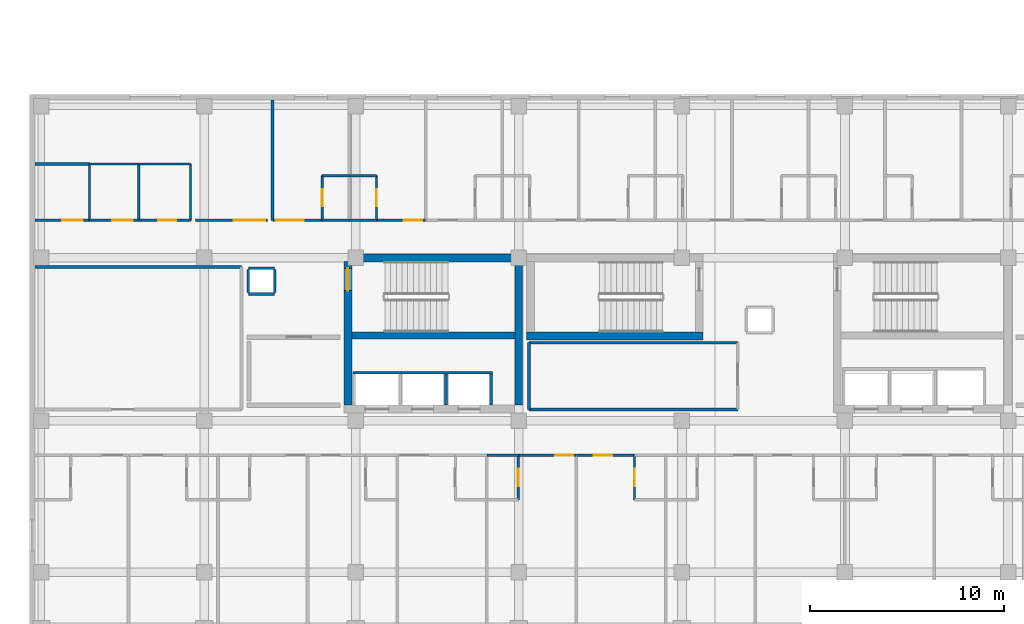
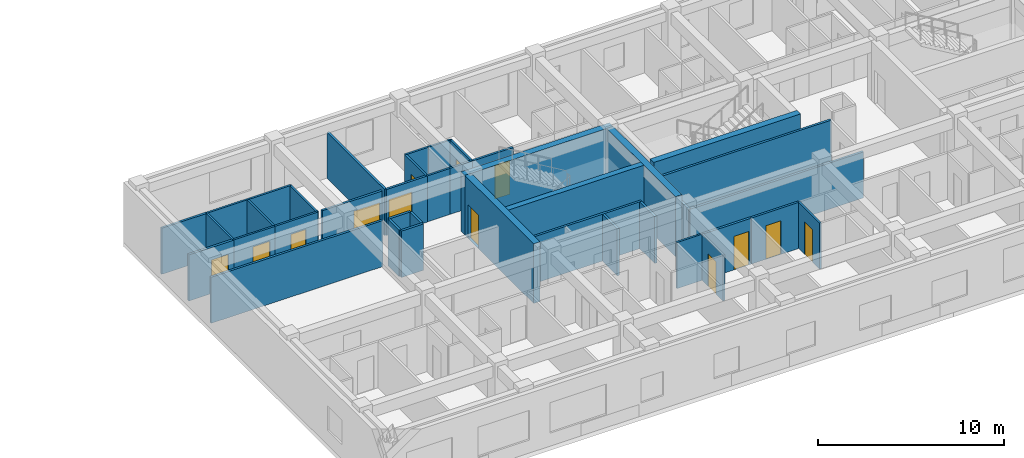
# One storey, part 103 of 123: 40 walls, 13 doors, 13 openings.
"""IFC4 building model written with IfcOpenShell, lengths in metres."""

from ifc_helpers import new_model, si_unit, direction, frame, frame_2d, origin, place, context, subcontext, project, spatial, rectangle, extrude, material, layer, layer_set, type_object, element, fill, save


model = new_model("IFC4")

# Units and contexts
model_context = context("Model", 3, precision=1e-05, world=origin(), true_north=direction((0.0, 1.0)))
body_context = subcontext(model_context, "Body", "Model", "MODEL_VIEW")
ifc_project = project(units=[si_unit("LENGTHUNIT", "METRE"), si_unit("AREAUNIT", "SQUARE_METRE"), si_unit("VOLUMEUNIT", "CUBIC_METRE"), si_unit("PLANEANGLEUNIT", "RADIAN"), si_unit("MASSUNIT", "GRAM", prefix="KILO")], contexts=[model_context])

# Site, building, storey
site_placement = place(None, origin())
site = spatial("IfcSite", under=ifc_project, at=site_placement, CompositionType="ELEMENT")
building_placement = place(site_placement, origin())
building = spatial("IfcBuilding", under=site, at=building_placement, Name="Zayran Congress Hotel", CompositionType="ELEMENT")
storey_placement = place(building_placement, frame((0.0, 0.0, 15.0)))
storey = spatial("IfcBuildingStorey", under=building, at=storey_placement, Name="L03", CompositionType="ELEMENT", Elevation=15.0)

# Wall
ifc_material_1 = material(Name="Concrete C40/50", Category="concrete")
ifc_layer_1 = layer(ifc_material_1, 0.39990234375)
ifc_layer_set_1 = layer_set([ifc_layer_1], Name="Concrete C40/50")
wall_type_1 = type_object("IfcWallType", Name="WL-SH-400", PredefinedType="SHEAR", material=ifc_layer_set_1)
wall_1_placement = place(storey_placement, frame((33.800048828125, 25.5849609375, 0.0), z_axis=(0.0, 0.0, 1.0), x_axis=(-1.0, 0.0, 0.0)))
element("IfcWall", 1, at=wall_1_placement, inside=storey, type_object=wall_type_1, Name="CWALL-C-V5W-L03-N", PredefinedType="SHEAR", context=body_context, shape_type="SweptSolid", body=[
    extrude(rectangle(XDim=9.199951171875, YDim=0.39990234375, at=frame_2d((4.60009765625, 0.0))), origin(), (0.0, 0.0, 1.0), 3.919921875),
])

# Wall, opening, door
wall_2_placement = place(storey_placement, frame((24.800048828125, 25.39990234375, 0.0), z_axis=(0.0, 0.0, 1.0), x_axis=(0.0, -1.0, 0.0)))
wall_2 = element("IfcWall", 2, at=wall_2_placement, inside=storey, type_object=wall_type_1, Name="CWALL-C-V5W-L03-W", PredefinedType="SHEAR", context=body_context, shape_type="SweptSolid", body=[
    extrude(rectangle(XDim=7.39990234375, YDim=0.39990234375, at=frame_2d((3.699951171875, 0.0))), origin(), (0.0, 0.0, 1.0), 3.919921875),
])
opening_1_placement = place(wall_2_placement, frame((0.35009765625, 0.0, 0.0)))
opening_1 = element("IfcOpeningElement", 3, at=opening_1_placement, cuts=wall_2, Name="Opening DR-FD-90", PredefinedType="OPENING", context=body_context, shape_type="SweptSolid", body=[
    extrude(rectangle(XDim=1.14990234375, YDim=2.199951171875, at=frame_2d((0.574951171875, 1.10009765625))), frame((0.0, 0.2099609375, 0.0), z_axis=(0.0, -1.0, 0.0), x_axis=(1.0, 0.0, 0.0)), (0.0, 0.0, 1.0), 0.419921875),
])
ifc_material_2 = material(Name="Painted steel fire door assembly", Category="steel")
door_type_1 = type_object("IfcDoorType", Name="TP-DR-FD-90", OperationType="NOTDEFINED", PredefinedType="DOOR", material=ifc_material_2)
door_1_placement = place(opening_1_placement, origin())
door_1 = element("IfcDoor", 4, at=door_1_placement, inside=storey, type_object=door_type_1, Name="ST-01 Exit Stair Door L03", OperationType="SINGLE_SWING_LEFT", OverallHeight=2.199951171875, OverallWidth=1.14990234375, PredefinedType="DOOR", context=body_context, shape_type="SweptSolid", body=[
    extrude(rectangle(XDim=1.14990234375, YDim=2.199951171875, at=frame_2d((0.574951171875, 1.10009765625))), frame((0.0, 0.02490234375, 0.0), z_axis=(0.0, -1.0, 0.0), x_axis=(1.0, 0.0, 0.0)), (0.0, 0.0, 1.0), 0.050048828125),
])
fill(opening_1, door_1)

# Walls
wall_3_placement = place(storey_placement, frame((33.60009765625, 18.0, 0.0), z_axis=(0.0, 0.0, 1.0), x_axis=(0.0, 1.0, 0.0)))
element("IfcWall", 5, at=wall_3_placement, inside=storey, type_object=wall_type_1, Name="CWALL-C-V5W-L03-E", PredefinedType="SHEAR", context=body_context, shape_type="SweptSolid", body=[
    extrude(rectangle(XDim=7.39990234375, YDim=0.39990234375, at=frame_2d((3.699951171875, 0.0))), origin(), (0.0, 0.0, 1.0), 3.919921875),
])
wall_4_placement = place(storey_placement, frame((34.0, 21.56005859375, 0.0), z_axis=(0.0, 0.0, 1.0), x_axis=(1.0, 0.0, 0.0)))
element("IfcWall", 6, at=wall_4_placement, inside=storey, type_object=wall_type_1, Name="CWALL-C-V5M-L03-S", PredefinedType="SHEAR", context=body_context, shape_type="SweptSolid", body=[
    extrude(rectangle(XDim=9.10009765625, YDim=0.39990234375, at=frame_2d((4.550048828125, 0.0))), origin(), (0.0, 0.0, 1.0), 3.919921875),
])
ifc_layer_2 = layer(ifc_material_1, 0.35009765625)
ifc_layer_set_2 = layer_set([ifc_layer_2], Name="Concrete C40/50")
wall_type_2 = type_object("IfcWallType", Name="WL-SH-350", PredefinedType="SHEAR", material=ifc_layer_set_2)
wall_5_placement = place(storey_placement, frame((25.0, 21.5849609375, 0.0), z_axis=(0.0, 0.0, 1.0), x_axis=(1.0, 0.0, 0.0)))
element("IfcWall", 7, at=wall_5_placement, inside=storey, type_object=wall_type_2, Name="CWALL-C-V5W-L03-SPN", PredefinedType="SHEAR", context=body_context, shape_type="SweptSolid", body=[
    extrude(rectangle(XDim=8.39990234375, YDim=0.35009765625, at=frame_2d((4.199951171875, 0.0))), origin(), (0.0, 0.0, 1.0), 3.919921875),
])
ifc_material_3 = material(Name="Hospitality guestroom acoustic partition", Category="gypsum")
ifc_layer_3 = layer(ifc_material_3, 0.139892578125)
ifc_layer_set_3 = layer_set([ifc_layer_3], Name="Hospitality guestroom acoustic partition")
wall_type_3 = type_object("IfcWallType", Name="WL-PT-140", PredefinedType="PARTITIONING", material=ifc_layer_set_3)
for number, where, z_axis, x_axis, name in (
    (8, (29.85009765625, 18.0, 0.0), (0.0, 0.0, 1.0), (0.0, 1.0, 0.0), "LSHW-C-V5W-L03-DIV2"),
    (9, (32.169921875, 18.0, 0.0), (0.0, 0.0, 1.0), (0.0, 1.0, 0.0), "LSHW-C-V5W-L03-E"),
):
    element("IfcWall", number, at=place(storey_placement, frame(where, z_axis=z_axis, x_axis=x_axis)), inside=storey, type_object=wall_type_3, Name=name, PredefinedType="PARTITIONING", context=body_context, shape_type="SweptSolid", body=[
        extrude(rectangle(XDim=1.60009765625, YDim=0.139892578125, at=frame_2d((0.800048828125, 0.0))), origin(), (0.0, 0.0, 1.0), 3.070068359375),
    ])
wall_6_placement = place(storey_placement, frame((25.06005859375, 19.669921875, 0.0), z_axis=(0.0, 0.0, 1.0), x_axis=(1.0, 0.0, 0.0)))
element("IfcWall", 10, at=wall_6_placement, inside=storey, type_object=wall_type_3, Name="LSHW-C-V5W-L03-N", PredefinedType="PARTITIONING", context=body_context, shape_type="SweptSolid", body=[
    extrude(rectangle(XDim=7.179931640625, YDim=0.139892578125, at=frame_2d((3.58984375, 0.0))), origin(), (0.0, 0.0, 1.0), 3.070068359375),
])

# Wall, opening, door
wall_7_placement = place(storey_placement, frame((33.574951171875, 15.419921875, 0.0), z_axis=(0.0, 0.0, 1.0), x_axis=(1.0, 0.0, 0.0)))
wall_7 = element("IfcWall", 11, at=wall_7_placement, inside=storey, type_object=wall_type_3, Name="IW-L03-0576", PredefinedType="PARTITIONING", context=body_context, shape_type="SweptSolid", body=[
    extrude(rectangle(XDim=2.98193359375, YDim=0.139892578125, at=frame_2d((1.490966796875, 0.0))), origin(), (0.0, 0.0, 1.0), 3.02001953125),
])
opening_2_placement = place(wall_7_placement, frame((1.902099609375, 0.0, 0.0)))
opening_2 = element("IfcOpeningElement", 12, at=opening_2_placement, cuts=wall_7, Name="Opening DR-GR-01", PredefinedType="OPENING", context=body_context, shape_type="SweptSolid", body=[
    extrude(rectangle(XDim=0.93994140625, YDim=2.199951171875, at=frame_2d((0.469970703125, 1.10009765625))), frame((0.0, 0.079833984375, 0.0), z_axis=(0.0, -1.0, 0.0), x_axis=(1.0, 0.0, 0.0)), (0.0, 0.0, 1.0), 0.159912109375),
])
ifc_material_4 = material(Name="Acoustic walnut veneer fire-rated entry door", Category="wood")
door_type_2 = type_object("IfcDoorType", Name="TP-DR-GR-01", OperationType="NOTDEFINED", PredefinedType="DOOR", material=ifc_material_4)
door_2_placement = place(opening_2_placement, origin())
door_2 = element("IfcDoor", 13, at=door_2_placement, inside=storey, type_object=door_type_2, Name="Guest Room L03-06 Door", OperationType="SINGLE_SWING_LEFT", OverallHeight=2.199951171875, OverallWidth=0.93994140625, PredefinedType="DOOR", context=body_context, shape_type="SweptSolid", body=[
    extrude(rectangle(XDim=0.93994140625, YDim=2.199951171875, at=frame_2d((0.469970703125, 1.10009765625))), frame((0.0, 0.02490234375, 0.0), z_axis=(0.0, -1.0, 0.0), x_axis=(1.0, 0.0, 0.0)), (0.0, 0.0, 1.0), 0.050048828125),
])
fill(opening_2, door_2)

wall_8_placement = place(storey_placement, frame((36.576904296875, 15.419921875, 0.0), z_axis=(0.0, 0.0, 1.0), x_axis=(1.0, 0.0, 0.0)))
wall_8 = element("IfcWall", 14, at=wall_8_placement, inside=storey, type_object=wall_type_3, Name="IW-L03-0577", PredefinedType="PARTITIONING", context=body_context, shape_type="SweptSolid", body=[
    extrude(rectangle(XDim=2.982177734375, YDim=0.139892578125, at=frame_2d((1.4912109375, 0.0))), origin(), (0.0, 0.0, 1.0), 3.02001953125),
])
opening_3_placement = place(wall_8_placement, frame((0.89501953125, 0.0, 0.0)))
opening_3 = element("IfcOpeningElement", 15, at=opening_3_placement, cuts=wall_8, Name="Opening DR-GR-01", PredefinedType="OPENING", context=body_context, shape_type="SweptSolid", body=[
    extrude(rectangle(XDim=0.93994140625, YDim=2.199951171875, at=frame_2d((0.469970703125, 1.10009765625))), frame((0.0, 0.079833984375, 0.0), z_axis=(0.0, -1.0, 0.0), x_axis=(1.0, 0.0, 0.0)), (0.0, 0.0, 1.0), 0.159912109375),
])
door_3_placement = place(opening_3_placement, origin())
door_3 = element("IfcDoor", 16, at=door_3_placement, inside=storey, type_object=door_type_2, Name="Guest Room L03-07 Door", OperationType="SINGLE_SWING_RIGHT", OverallHeight=2.199951171875, OverallWidth=0.93994140625, PredefinedType="DOOR", context=body_context, shape_type="SweptSolid", body=[
    extrude(rectangle(XDim=0.93994140625, YDim=2.199951171875, at=frame_2d((0.469970703125, 1.10009765625))), frame((0.0, 0.02490234375, 0.0), z_axis=(0.0, -1.0, 0.0), x_axis=(1.0, 0.0, 0.0)), (0.0, 0.0, 1.0), 0.050048828125),
])
fill(opening_3, door_3)

wall_9_placement = place(storey_placement, frame((8.679931640625, 27.530029296875, 0.0), z_axis=(0.0, 0.0, 1.0), x_axis=(1.0, 0.0, 0.0)))
wall_9 = element("IfcWall", 17, at=wall_9_placement, inside=storey, type_object=wall_type_3, Name="IW-L03-0589", PredefinedType="PARTITIONING", context=body_context, shape_type="SweptSolid", body=[
    extrude(rectangle(XDim=2.800048828125, YDim=0.139892578125, at=frame_2d((1.39990234375, 0.0))), origin(), (0.0, 0.0, 1.0), 3.02001953125),
])
opening_4_placement = place(wall_9_placement, frame((1.409912109375, 0.0, 0.0)))
opening_4 = element("IfcOpeningElement", 18, at=opening_4_placement, cuts=wall_9, Name="Opening DR-PL-02", PredefinedType="OPENING", context=body_context, shape_type="SweptSolid", body=[
    extrude(rectangle(XDim=1.06005859375, YDim=2.199951171875, at=frame_2d((0.530029296875, 1.10009765625))), frame((0.0, 0.079833984375, 0.0), z_axis=(0.0, -1.0, 0.0), x_axis=(1.0, 0.0, 0.0)), (0.0, 0.0, 1.0), 0.159912109375),
])
ifc_material_5 = material(Name="Painted steel store room fire door", Category="steel")
door_type_3 = type_object("IfcDoorType", Name="TP-DR-PL-02", OperationType="NOTDEFINED", PredefinedType="DOOR", material=ifc_material_5)
door_4_placement = place(opening_4_placement, origin())
door_4 = element("IfcDoor", 19, at=door_4_placement, inside=storey, type_object=door_type_3, Name="Housekeeping and Linen Store L03 Door", OperationType="SINGLE_SWING_RIGHT", OverallHeight=2.199951171875, OverallWidth=1.06005859375, PredefinedType="DOOR", context=body_context, shape_type="SweptSolid", body=[
    extrude(rectangle(XDim=1.06005859375, YDim=2.199951171875, at=frame_2d((0.530029296875, 1.10009765625))), frame((0.0, 0.02490234375, 0.0), z_axis=(0.0, -1.0, 0.0), x_axis=(1.0, 0.0, 0.0)), (0.0, 0.0, 1.0), 0.050048828125),
])
fill(opening_4, door_4)

wall_10_placement = place(storey_placement, frame((16.9599609375, 27.530029296875, 0.0), z_axis=(0.0, 0.0, 1.0), x_axis=(1.0, 0.0, 0.0)))
wall_10 = element("IfcWall", 20, at=wall_10_placement, inside=storey, type_object=wall_type_3, Name="IW-L03-0590", PredefinedType="PARTITIONING", context=body_context, shape_type="SweptSolid", body=[
    extrude(rectangle(XDim=3.7099609375, YDim=0.139892578125, at=frame_2d((1.85498046875, 0.0))), origin(), (0.0, 0.0, 1.0), 3.02001953125),
])
opening_5_placement = place(wall_10_placement, frame((1.969970703125, 0.0, 0.0)))
opening_5 = element("IfcOpeningElement", 21, at=opening_5_placement, cuts=wall_10, Name="Opening DR-MT-02", PredefinedType="OPENING", context=body_context, shape_type="SweptSolid", body=[
    extrude(rectangle(XDim=1.60009765625, YDim=2.300048828125, at=frame_2d((0.800048828125, 1.14990234375))), frame((0.0, 0.079833984375, 0.0), z_axis=(0.0, -1.0, 0.0), x_axis=(1.0, 0.0, 0.0)), (0.0, 0.0, 1.0), 0.159912109375),
])
ifc_material_6 = material(Name="Double acoustic timber boardroom door", Category="wood")
door_type_4 = type_object("IfcDoorType", Name="TP-DR-MT-02", OperationType="DOUBLE_DOOR_SINGLE_SWING", PredefinedType="DOOR", material=ifc_material_6)
door_5_placement = place(opening_5_placement, origin())
door_5 = element("IfcDoor", 22, at=door_5_placement, inside=storey, type_object=door_type_4, Name="Executive Boardroom Salon L03 Door", OperationType="DOUBLE_DOOR_SINGLE_SWING", OverallHeight=2.300048828125, OverallWidth=1.60009765625, PredefinedType="DOOR", context=body_context, shape_type="SweptSolid", body=[
    extrude(rectangle(XDim=1.60009765625, YDim=2.300048828125, at=frame_2d((0.800048828125, 1.14990234375))), frame((0.0, 0.02490234375, 0.0), z_axis=(0.0, -1.0, 0.0), x_axis=(1.0, 0.0, 0.0)), (0.0, 0.0, 1.0), 0.050048828125),
])
fill(opening_5, door_5)

wall_11_placement = place(storey_placement, frame((20.93994140625, 27.530029296875, 0.0), z_axis=(0.0, 0.0, 1.0), x_axis=(1.0, 0.0, 0.0)))
wall_11 = element("IfcWall", 23, at=wall_11_placement, inside=storey, type_object=wall_type_3, Name="IW-L03-0591", PredefinedType="PARTITIONING", context=body_context, shape_type="SweptSolid", body=[
    extrude(rectangle(XDim=2.53515625, YDim=0.139892578125, at=frame_2d((1.267578125, 0.0))), origin(), (0.0, 0.0, 1.0), 3.02001953125),
])
opening_6_placement = place(wall_11_placement, frame((0.139892578125, 0.0, 0.0)))
opening_6 = element("IfcOpeningElement", 24, at=opening_6_placement, cuts=wall_11, Name="Opening DR-ST-01", PredefinedType="OPENING", context=body_context, shape_type="SweptSolid", body=[
    extrude(rectangle(XDim=1.449951171875, YDim=2.300048828125, at=frame_2d((0.72509765625, 1.14990234375))), frame((0.0, 0.079833984375, 0.0), z_axis=(0.0, -1.0, 0.0), x_axis=(1.0, 0.0, 0.0)), (0.0, 0.0, 1.0), 0.159912109375),
])
ifc_material_7 = material(Name="Double walnut veneer suite entry door", Category="wood")
door_type_5 = type_object("IfcDoorType", Name="TP-DR-ST-01", OperationType="DOUBLE_DOOR_SINGLE_SWING", PredefinedType="DOOR", material=ifc_material_7)
door_6_placement = place(opening_6_placement, origin())
door_6 = element("IfcDoor", 25, at=door_6_placement, inside=storey, type_object=door_type_5, Name="Executive Suite L03-19 Door", OperationType="DOUBLE_DOOR_SINGLE_SWING", OverallHeight=2.300048828125, OverallWidth=1.449951171875, PredefinedType="DOOR", context=body_context, shape_type="SweptSolid", body=[
    extrude(rectangle(XDim=1.449951171875, YDim=2.300048828125, at=frame_2d((0.72509765625, 1.14990234375))), frame((0.0, 0.02490234375, 0.0), z_axis=(0.0, -1.0, 0.0), x_axis=(1.0, 0.0, 0.0)), (0.0, 0.0, 1.0), 0.050048828125),
])
fill(opening_6, door_6)

wall_12_placement = place(storey_placement, frame((26.27099609375, 27.530029296875, 0.0), z_axis=(0.0, 0.0, 1.0), x_axis=(1.0, 0.0, 0.0)))
wall_12 = element("IfcWall", 26, at=wall_12_placement, inside=storey, type_object=wall_type_3, Name="IW-L03-0592", PredefinedType="PARTITIONING", context=body_context, shape_type="SweptSolid", body=[
    extrude(rectangle(XDim=2.534912109375, YDim=0.139892578125, at=frame_2d((1.267578125, 0.0))), origin(), (0.0, 0.0, 1.0), 3.02001953125),
])
opening_7_placement = place(wall_12_placement, frame((1.407958984375, 0.0, 0.0)))
opening_7 = element("IfcOpeningElement", 27, at=opening_7_placement, cuts=wall_12, Name="Opening DR-GR-01", PredefinedType="OPENING", context=body_context, shape_type="SweptSolid", body=[
    extrude(rectangle(XDim=0.93994140625, YDim=2.199951171875, at=frame_2d((0.469970703125, 1.10009765625))), frame((0.0, 0.079833984375, 0.0), z_axis=(0.0, -1.0, 0.0), x_axis=(1.0, 0.0, 0.0)), (0.0, 0.0, 1.0), 0.159912109375),
])
door_7_placement = place(opening_7_placement, origin())
door_7 = element("IfcDoor", 28, at=door_7_placement, inside=storey, type_object=door_type_2, Name="Guest Room L03-20 Door", OperationType="SINGLE_SWING_LEFT", OverallHeight=2.199951171875, OverallWidth=0.93994140625, PredefinedType="DOOR", context=body_context, shape_type="SweptSolid", body=[
    extrude(rectangle(XDim=0.93994140625, YDim=2.199951171875, at=frame_2d((0.469970703125, 1.10009765625))), frame((0.0, 0.02490234375, 0.0), z_axis=(0.0, -1.0, 0.0), x_axis=(1.0, 0.0, 0.0)), (0.0, 0.0, 1.0), 0.050048828125),
])
fill(opening_7, door_7)

# Walls
for number, where, z_axis, x_axis, name in (
    (29, (34.1201171875, 17.780029296875, 0.0), (0.0, 0.0, 1.0), (1.0, 0.0, 0.0), "IW-L03-1886"),
    (30, (34.1201171875, 21.219970703125, 0.0), (0.0, 0.0, 1.0), (1.0, 0.0, 0.0), "IW-L03-1887"),
):
    element("IfcWall", number, at=place(storey_placement, frame(where, z_axis=z_axis, x_axis=x_axis)), inside=storey, type_object=wall_type_3, Name=name, PredefinedType="PARTITIONING", context=body_context, shape_type="SweptSolid", body=[
        extrude(rectangle(XDim=10.759765625, YDim=0.139892578125, at=frame_2d((5.3798828125, 0.0))), origin(), (0.0, 0.0, 1.0), 3.02001953125),
    ])
wall_13_placement = place(storey_placement, frame((34.1298828125, 17.77001953125, 0.0), z_axis=(0.0, 0.0, 1.0), x_axis=(0.0, 1.0, 0.0)))
element("IfcWall", 31, at=wall_13_placement, inside=storey, type_object=wall_type_3, Name="IW-L03-1888", PredefinedType="PARTITIONING", context=body_context, shape_type="SweptSolid", body=[
    extrude(rectangle(XDim=3.4599609375, YDim=0.139892578125, at=frame_2d((1.72998046875, 0.0))), origin(), (0.0, 0.0, 1.0), 3.02001953125),
])
wall_14_placement = place(storey_placement, frame((8.679931640625, 25.1201171875, 0.0), z_axis=(0.0, 0.0, 1.0), x_axis=(1.0, 0.0, 0.0)))
element("IfcWall", 32, at=wall_14_placement, inside=storey, type_object=wall_type_3, Name="IW-L03-1889", PredefinedType="PARTITIONING", context=body_context, shape_type="SweptSolid", body=[
    extrude(rectangle(XDim=10.650146484375, YDim=0.139892578125, at=frame_2d((5.3251953125, 0.0))), origin(), (0.0, 0.0, 1.0), 3.02001953125),
])
wall_15_placement = place(storey_placement, frame((8.679931640625, 30.419921875, 0.0), z_axis=(0.0, 0.0, 1.0), x_axis=(1.0, 0.0, 0.0)))
element("IfcWall", 33, at=wall_15_placement, inside=storey, type_object=wall_type_3, Name="IW-L03-1910", PredefinedType="PARTITIONING", context=body_context, shape_type="SweptSolid", body=[
    extrude(rectangle(XDim=2.800048828125, YDim=0.139892578125, at=frame_2d((1.39990234375, 0.0))), origin(), (0.0, 0.0, 1.0), 3.02001953125),
])
wall_16_placement = place(storey_placement, frame((20.919921875, 27.52001953125, 0.0), z_axis=(0.0, 0.0, 1.0), x_axis=(0.0, 1.0, 0.0)))
element("IfcWall", 34, at=wall_16_placement, inside=storey, type_object=wall_type_3, Name="IW-L03-1911", PredefinedType="PARTITIONING", context=body_context, shape_type="SweptSolid", body=[
    extrude(rectangle(XDim=6.199951171875, YDim=0.139892578125, at=frame_2d((3.10009765625, 0.0))), origin(), (0.0, 0.0, 1.0), 3.02001953125),
])
for number, where, z_axis, x_axis, name in (
    (35, (19.669921875, 23.72998046875, 0.0), (0.0, 0.0, 1.0), (1.0, 0.0, 0.0), "RSWL-V5-L03-032-S"),
    (36, (21.030029296875, 25.050048828125, 0.0), (0.0, 0.0, 1.0), (-1.0, 0.0, 0.0), "RSWL-V5-L03-032-N"),
):
    element("IfcWall", number, at=place(storey_placement, frame(where, z_axis=z_axis, x_axis=x_axis)), inside=storey, type_object=wall_type_3, Name=name, PredefinedType="PARTITIONING", context=body_context, shape_type="SweptSolid", body=[
        extrude(rectangle(XDim=1.360107421875, YDim=0.139892578125, at=frame_2d((0.68017578125, 0.0))), origin(), (0.0, 0.0, 1.0), 3.0400390625),
    ])
for number, where, z_axis, x_axis, name in (
    (37, (19.669921875, 24.97998046875, 0.0), (0.0, 0.0, 1.0), (0.0, -1.0, 0.0), "RSWL-V5-L03-032-W"),
    (38, (21.030029296875, 23.800048828125, 0.0), (0.0, 0.0, 1.0), (0.0, 1.0, 0.0), "RSWL-V5-L03-032-E"),
):
    element("IfcWall", number, at=place(storey_placement, frame(where, z_axis=z_axis, x_axis=x_axis)), inside=storey, type_object=wall_type_3, Name=name, PredefinedType="PARTITIONING", context=body_context, shape_type="SweptSolid", body=[
        extrude(rectangle(XDim=1.179931640625, YDim=0.139892578125, at=frame_2d((0.58984375, 0.0))), origin(), (0.0, 0.0, 1.0), 3.0400390625),
    ])

# Wall, opening, door
ifc_material_8 = material(Name="Moisture-resistant bathroom partition", Category="gypsum")
ifc_layer_4 = layer(ifc_material_8, 0.1201171875)
ifc_layer_set_4 = layer_set([ifc_layer_4], Name="Moisture-resistant bathroom partition")
wall_type_4 = type_object("IfcWallType", Name="WL-PT-120", PredefinedType="PARTITIONING", material=ifc_layer_set_4)
wall_17_placement = place(storey_placement, frame((33.574951171875, 13.1201171875, 0.0), z_axis=(0.0, 0.0, 1.0), x_axis=(0.0, 1.0, 0.0)))
wall_17 = element("IfcWall", 39, at=wall_17_placement, inside=storey, type_object=wall_type_4, Name="IW-L03-0096", PredefinedType="PARTITIONING", context=body_context, shape_type="SweptSolid", body=[
    extrude(rectangle(XDim=2.309814453125, YDim=0.1201171875, at=frame_2d((1.15478515625, 0.0))), origin(), (0.0, 0.0, 1.0), 3.02001953125),
])
opening_8_placement = place(wall_17_placement, frame((0.715087890625, 0.0, 0.0)))
opening_8 = element("IfcOpeningElement", 40, at=opening_8_placement, cuts=wall_17, Name="Opening DR-BT-01", PredefinedType="OPENING", context=body_context, shape_type="SweptSolid", body=[
    extrude(rectangle(XDim=0.8798828125, YDim=2.14990234375, at=frame_2d((0.43994140625, 1.074951171875))), frame((0.0, 0.070068359375, 0.0), z_axis=(0.0, -1.0, 0.0), x_axis=(1.0, 0.0, 0.0)), (0.0, 0.0, 1.0), 0.14013671875),
])
ifc_material_9 = material(Name="Moisture-resistant oak en-suite door", Category="wood")
door_type_6 = type_object("IfcDoorType", Name="TP-DR-BT-01", OperationType="NOTDEFINED", PredefinedType="DOOR", material=ifc_material_9)
door_8_placement = place(opening_8_placement, origin())
door_8 = element("IfcDoor", 41, at=door_8_placement, inside=storey, type_object=door_type_6, Name="En-Suite Bathroom L03-06 Door", OperationType="SINGLE_SWING_LEFT", OverallHeight=2.14990234375, OverallWidth=0.8798828125, PredefinedType="DOOR", context=body_context, shape_type="SweptSolid", body=[
    extrude(rectangle(XDim=0.8798828125, YDim=2.14990234375, at=frame_2d((0.43994140625, 1.074951171875))), frame((0.0, 0.02490234375, 0.0), z_axis=(0.0, -1.0, 0.0), x_axis=(1.0, 0.0, 0.0)), (0.0, 0.0, 1.0), 0.050048828125),
])
fill(opening_8, door_8)

wall_18_placement = place(storey_placement, frame((39.55908203125, 13.1201171875, 0.0), z_axis=(0.0, 0.0, 1.0), x_axis=(0.0, 1.0, 0.0)))
wall_18 = element("IfcWall", 42, at=wall_18_placement, inside=storey, type_object=wall_type_4, Name="IW-L03-0097", PredefinedType="PARTITIONING", context=body_context, shape_type="SweptSolid", body=[
    extrude(rectangle(XDim=2.309814453125, YDim=0.1201171875, at=frame_2d((1.15478515625, 0.0))), origin(), (0.0, 0.0, 1.0), 3.02001953125),
])
opening_9_placement = place(wall_18_placement, frame((0.715087890625, 0.0, 0.0)))
opening_9 = element("IfcOpeningElement", 43, at=opening_9_placement, cuts=wall_18, Name="Opening DR-BT-01", PredefinedType="OPENING", context=body_context, shape_type="SweptSolid", body=[
    extrude(rectangle(XDim=0.8798828125, YDim=2.14990234375, at=frame_2d((0.43994140625, 1.074951171875))), frame((0.0, 0.070068359375, 0.0), z_axis=(0.0, -1.0, 0.0), x_axis=(1.0, 0.0, 0.0)), (0.0, 0.0, 1.0), 0.14013671875),
])
door_9_placement = place(opening_9_placement, origin())
door_9 = element("IfcDoor", 44, at=door_9_placement, inside=storey, type_object=door_type_6, Name="En-Suite Bathroom L03-07 Door", OperationType="SINGLE_SWING_RIGHT", OverallHeight=2.14990234375, OverallWidth=0.8798828125, PredefinedType="DOOR", context=body_context, shape_type="SweptSolid", body=[
    extrude(rectangle(XDim=0.8798828125, YDim=2.14990234375, at=frame_2d((0.43994140625, 1.074951171875))), frame((0.0, 0.02490234375, 0.0), z_axis=(0.0, -1.0, 0.0), x_axis=(1.0, 0.0, 0.0)), (0.0, 0.0, 1.0), 0.050048828125),
])
fill(opening_9, door_9)

wall_19_placement = place(storey_placement, frame((23.47509765625, 27.52001953125, 0.0), z_axis=(0.0, 0.0, 1.0), x_axis=(0.0, 1.0, 0.0)))
wall_19 = element("IfcWall", 45, at=wall_19_placement, inside=storey, type_object=wall_type_4, Name="IW-L03-0109", PredefinedType="PARTITIONING", context=body_context, shape_type="SweptSolid", body=[
    extrude(rectangle(XDim=2.31005859375, YDim=0.1201171875, at=frame_2d((1.155029296875, 0.0))), origin(), (0.0, 0.0, 1.0), 3.02001953125),
])
opening_10_placement = place(wall_19_placement, frame((0.715087890625, 0.0, 0.0)))
opening_10 = element("IfcOpeningElement", 46, at=opening_10_placement, cuts=wall_19, Name="Opening DR-BT-01", PredefinedType="OPENING", context=body_context, shape_type="SweptSolid", body=[
    extrude(rectangle(XDim=0.8798828125, YDim=2.14990234375, at=frame_2d((0.43994140625, 1.074951171875))), frame((0.0, 0.070068359375, 0.0), z_axis=(0.0, -1.0, 0.0), x_axis=(1.0, 0.0, 0.0)), (0.0, 0.0, 1.0), 0.14013671875),
])
door_10_placement = place(opening_10_placement, origin())
door_10 = element("IfcDoor", 47, at=door_10_placement, inside=storey, type_object=door_type_6, Name="En-Suite Bathroom L03-19 Door", OperationType="SINGLE_SWING_RIGHT", OverallHeight=2.14990234375, OverallWidth=0.8798828125, PredefinedType="DOOR", context=body_context, shape_type="SweptSolid", body=[
    extrude(rectangle(XDim=0.8798828125, YDim=2.14990234375, at=frame_2d((0.43994140625, 1.074951171875))), frame((0.0, 0.02490234375, 0.0), z_axis=(0.0, -1.0, 0.0), x_axis=(1.0, 0.0, 0.0)), (0.0, 0.0, 1.0), 0.050048828125),
])
fill(opening_10, door_10)

wall_20_placement = place(storey_placement, frame((26.27099609375, 27.52001953125, 0.0), z_axis=(0.0, 0.0, 1.0), x_axis=(0.0, 1.0, 0.0)))
wall_20 = element("IfcWall", 48, at=wall_20_placement, inside=storey, type_object=wall_type_4, Name="IW-L03-0110", PredefinedType="PARTITIONING", context=body_context, shape_type="SweptSolid", body=[
    extrude(rectangle(XDim=2.31005859375, YDim=0.1201171875, at=frame_2d((1.155029296875, 0.0))), origin(), (0.0, 0.0, 1.0), 3.02001953125),
])
opening_11_placement = place(wall_20_placement, frame((0.715087890625, 0.0, 0.0)))
opening_11 = element("IfcOpeningElement", 49, at=opening_11_placement, cuts=wall_20, Name="Opening DR-BT-01", PredefinedType="OPENING", context=body_context, shape_type="SweptSolid", body=[
    extrude(rectangle(XDim=0.8798828125, YDim=2.14990234375, at=frame_2d((0.43994140625, 1.074951171875))), frame((0.0, 0.070068359375, 0.0), z_axis=(0.0, -1.0, 0.0), x_axis=(1.0, 0.0, 0.0)), (0.0, 0.0, 1.0), 0.14013671875),
])
door_11_placement = place(opening_11_placement, origin())
door_11 = element("IfcDoor", 50, at=door_11_placement, inside=storey, type_object=door_type_6, Name="En-Suite Bathroom L03-20 Door", OperationType="SINGLE_SWING_LEFT", OverallHeight=2.14990234375, OverallWidth=0.8798828125, PredefinedType="DOOR", context=body_context, shape_type="SweptSolid", body=[
    extrude(rectangle(XDim=0.8798828125, YDim=2.14990234375, at=frame_2d((0.43994140625, 1.074951171875))), frame((0.0, 0.02490234375, 0.0), z_axis=(0.0, -1.0, 0.0), x_axis=(1.0, 0.0, 0.0)), (0.0, 0.0, 1.0), 0.050048828125),
])
fill(opening_11, door_11)

wall_21_placement = place(storey_placement, frame((11.47998046875, 27.530029296875, 0.0), z_axis=(0.0, 0.0, 1.0), x_axis=(1.0, 0.0, 0.0)))
wall_21 = element("IfcWall", 51, at=wall_21_placement, inside=storey, type_object=wall_type_4, Name="IW-L03-0361", PredefinedType="PARTITIONING", context=body_context, shape_type="SweptSolid", body=[
    extrude(rectangle(XDim=2.56005859375, YDim=0.1201171875, at=frame_2d((1.280029296875, 0.0))), origin(), (0.0, 0.0, 1.0), 3.02001953125),
])
opening_12_placement = place(wall_21_placement, frame((1.18994140625, 0.0, 0.0)))
opening_12 = element("IfcOpeningElement", 52, at=opening_12_placement, cuts=wall_21, Name="Opening DR-WC-02", PredefinedType="OPENING", context=body_context, shape_type="SweptSolid", body=[
    extrude(rectangle(XDim=1.0400390625, YDim=2.14990234375, at=frame_2d((0.52001953125, 1.074951171875))), frame((0.0, 0.070068359375, 0.0), z_axis=(0.0, -1.0, 0.0), x_axis=(1.0, 0.0, 0.0)), (0.0, 0.0, 1.0), 0.14013671875),
])
ifc_material_10 = material(Name="Accessible public washroom door", Category="steel")
door_type_7 = type_object("IfcDoorType", Name="TP-DR-WC-02", OperationType="NOTDEFINED", PredefinedType="DOOR", material=ifc_material_10)
door_12_placement = place(opening_12_placement, origin())
door_12 = element("IfcDoor", 53, at=door_12_placement, inside=storey, type_object=door_type_7, Name="Accessible WC L03 Door", OperationType="SINGLE_SWING_RIGHT", OverallHeight=2.14990234375, OverallWidth=1.0400390625, PredefinedType="DOOR", context=body_context, shape_type="SweptSolid", body=[
    extrude(rectangle(XDim=1.0400390625, YDim=2.14990234375, at=frame_2d((0.52001953125, 1.074951171875))), frame((0.0, 0.02490234375, 0.0), z_axis=(0.0, -1.0, 0.0), x_axis=(1.0, 0.0, 0.0)), (0.0, 0.0, 1.0), 0.050048828125),
])
fill(opening_12, door_12)

wall_22_placement = place(storey_placement, frame((14.0400390625, 27.530029296875, 0.0), z_axis=(0.0, 0.0, 1.0), x_axis=(1.0, 0.0, 0.0)))
wall_22 = element("IfcWall", 54, at=wall_22_placement, inside=storey, type_object=wall_type_4, Name="IW-L03-0362", PredefinedType="PARTITIONING", context=body_context, shape_type="SweptSolid", body=[
    extrude(rectangle(XDim=2.659912109375, YDim=0.1201171875, at=frame_2d((1.330078125, 0.0))), origin(), (0.0, 0.0, 1.0), 3.02001953125),
])
opening_13_placement = place(wall_22_placement, frame((0.986083984375, 0.0, 0.0)))
opening_13 = element("IfcOpeningElement", 55, at=opening_13_placement, cuts=wall_22, Name="Opening DR-WC-01", PredefinedType="OPENING", context=body_context, shape_type="SweptSolid", body=[
    extrude(rectangle(XDim=0.919921875, YDim=2.14990234375, at=frame_2d((0.4599609375, 1.074951171875))), frame((0.0, 0.070068359375, 0.0), z_axis=(0.0, -1.0, 0.0), x_axis=(1.0, 0.0, 0.0)), (0.0, 0.0, 1.0), 0.14013671875),
])
ifc_material_11 = material(Name="Laminated timber public washroom door", Category="wood")
door_type_8 = type_object("IfcDoorType", Name="TP-DR-WC-01", OperationType="NOTDEFINED", PredefinedType="DOOR", material=ifc_material_11)
door_13_placement = place(opening_13_placement, origin())
door_13 = element("IfcDoor", 56, at=door_13_placement, inside=storey, type_object=door_type_8, Name="Public WC L03 Door", OperationType="SINGLE_SWING_LEFT", OverallHeight=2.14990234375, OverallWidth=0.919921875, PredefinedType="DOOR", context=body_context, shape_type="SweptSolid", body=[
    extrude(rectangle(XDim=0.919921875, YDim=2.14990234375, at=frame_2d((0.4599609375, 1.074951171875))), frame((0.0, 0.02490234375, 0.0), z_axis=(0.0, -1.0, 0.0), x_axis=(1.0, 0.0, 0.0)), (0.0, 0.0, 1.0), 0.050048828125),
])
fill(opening_13, door_13)

# Walls
wall_23_placement = place(storey_placement, frame((31.9560546875, 15.419921875, 0.0), z_axis=(0.0, 0.0, 1.0), x_axis=(1.0, 0.0, 0.0)))
element("IfcWall", 57, at=wall_23_placement, inside=storey, type_object=wall_type_4, Name="IW-L03-1060", PredefinedType="PARTITIONING", context=body_context, shape_type="SweptSolid", body=[
    extrude(rectangle(XDim=1.62890625, YDim=0.1201171875, at=frame_2d((0.814453125, 0.0))), origin(), (0.0, 0.0, 1.0), 3.02001953125),
])
for number, where, z_axis, x_axis, name in (
    (58, (23.465087890625, 27.530029296875, 0.0), (0.0, 0.0, 1.0), (1.0, 0.0, 0.0), "IW-L03-1085"),
    (59, (23.465087890625, 29.820068359375, 0.0), (0.0, 0.0, 1.0), (1.0, 0.0, 0.0), "IW-L03-1086"),
    (60, (24.873046875, 27.530029296875, 0.0), (0.0, 0.0, 1.0), (1.0, 0.0, 0.0), "IW-L03-1087"),
    (61, (24.873046875, 29.820068359375, 0.0), (0.0, 0.0, 1.0), (1.0, 0.0, 0.0), "IW-L03-1088"),
):
    element("IfcWall", number, at=place(storey_placement, frame(where, z_axis=z_axis, x_axis=x_axis)), inside=storey, type_object=wall_type_4, Name=name, PredefinedType="PARTITIONING", context=body_context, shape_type="SweptSolid", body=[
        extrude(rectangle(XDim=1.407958984375, YDim=0.1201171875, at=frame_2d((0.7041015625, 0.0))), origin(), (0.0, 0.0, 1.0), 3.02001953125),
    ])
wall_24_placement = place(storey_placement, frame((11.47998046875, 30.419921875, 0.0), z_axis=(0.0, 0.0, 1.0), x_axis=(1.0, 0.0, 0.0)))
element("IfcWall", 62, at=wall_24_placement, inside=storey, type_object=wall_type_4, Name="IW-L03-1587", PredefinedType="PARTITIONING", context=body_context, shape_type="SweptSolid", body=[
    extrude(rectangle(XDim=2.56005859375, YDim=0.1201171875, at=frame_2d((1.280029296875, 0.0))), origin(), (0.0, 0.0, 1.0), 3.02001953125),
])
for number, where, z_axis, x_axis, name in (
    (63, (11.489990234375, 27.52001953125, 0.0), (0.0, 0.0, 1.0), (0.0, 1.0, 0.0), "IW-L03-1588"),
    (64, (14.030029296875, 27.52001953125, 0.0), (0.0, 0.0, 1.0), (0.0, 1.0, 0.0), "IW-L03-1589"),
):
    element("IfcWall", number, at=place(storey_placement, frame(where, z_axis=z_axis, x_axis=x_axis)), inside=storey, type_object=wall_type_4, Name=name, PredefinedType="PARTITIONING", context=body_context, shape_type="SweptSolid", body=[
        extrude(rectangle(XDim=2.909912109375, YDim=0.1201171875, at=frame_2d((1.455078125, 0.0))), origin(), (0.0, 0.0, 1.0), 3.02001953125),
    ])
wall_25_placement = place(storey_placement, frame((14.0400390625, 30.419921875, 0.0), z_axis=(0.0, 0.0, 1.0), x_axis=(1.0, 0.0, 0.0)))
element("IfcWall", 65, at=wall_25_placement, inside=storey, type_object=wall_type_4, Name="IW-L03-1590", PredefinedType="PARTITIONING", context=body_context, shape_type="SweptSolid", body=[
    extrude(rectangle(XDim=2.659912109375, YDim=0.1201171875, at=frame_2d((1.330078125, 0.0))), origin(), (0.0, 0.0, 1.0), 3.02001953125),
])
wall_26_placement = place(storey_placement, frame((16.68994140625, 27.52001953125, 0.0), z_axis=(0.0, 0.0, 1.0), x_axis=(0.0, 1.0, 0.0)))
element("IfcWall", 66, at=wall_26_placement, inside=storey, type_object=wall_type_4, Name="IW-L03-1591", PredefinedType="PARTITIONING", context=body_context, shape_type="SweptSolid", body=[
    extrude(rectangle(XDim=2.909912109375, YDim=0.1201171875, at=frame_2d((1.455078125, 0.0))), origin(), (0.0, 0.0, 1.0), 3.02001953125),
])

save(model, "model.ifc")
